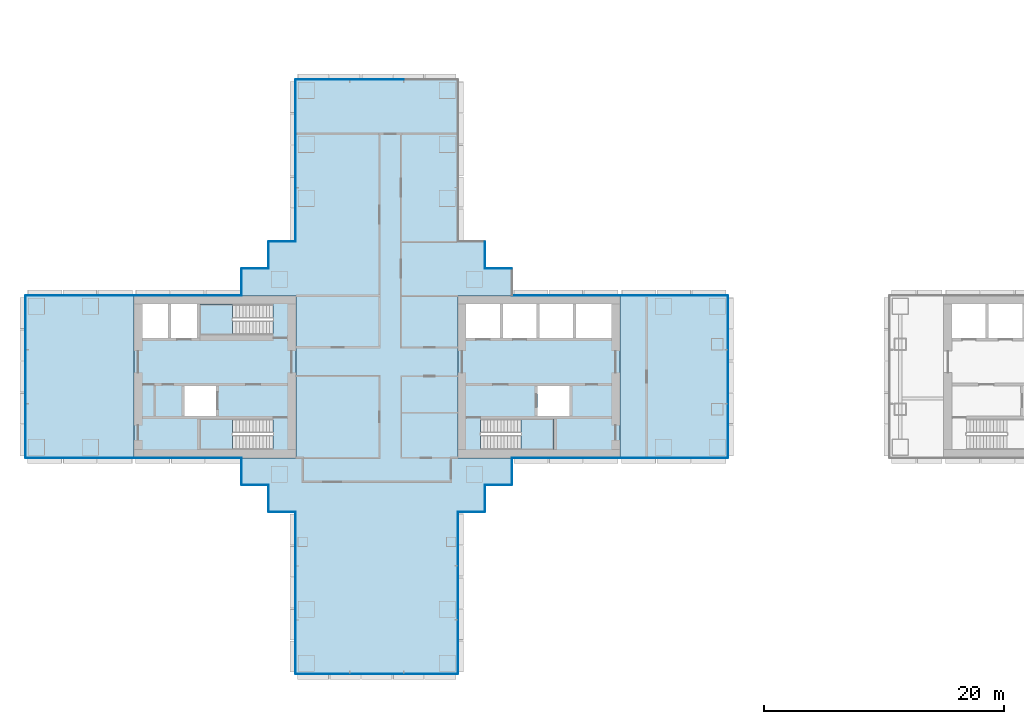
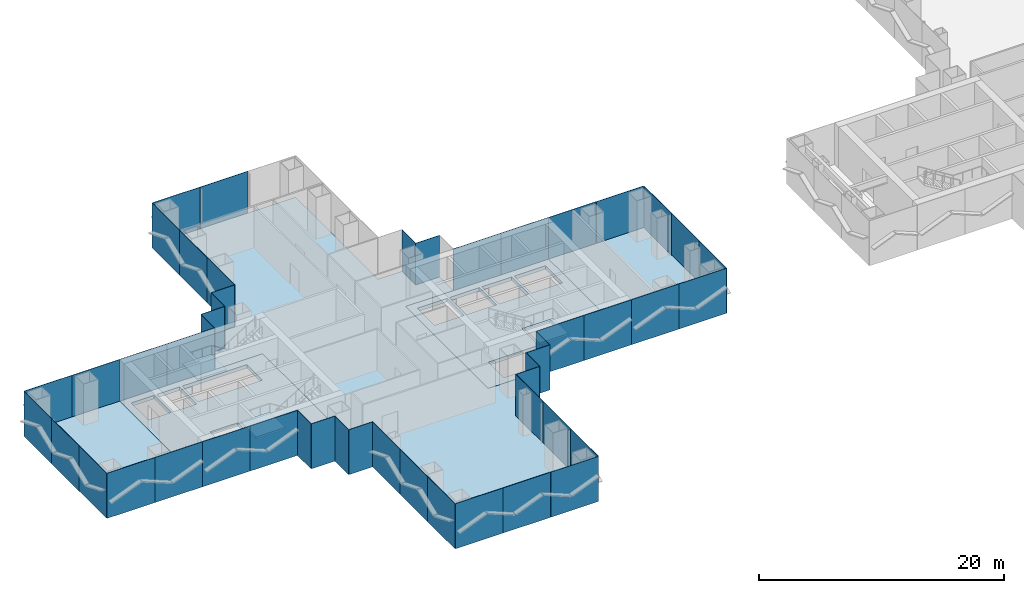
# One storey, part 11 of 22: 50 plates, 8 slabs, 22 elements without a shape of their own.
"""IFC4 building model written with IfcOpenShell, lengths in metres."""

from ifc_helpers import new_model, si_unit, direction, frame, origin, origin_2d, place, context, subcontext, project, spatial, polyline, rectangle, outline, extrude, material, layer, layer_set, type_object, element, aggregate, save


model = new_model("IFC4")

# Units and contexts
model_context = context("Model", 3, precision=1e-05, world=origin(), true_north=direction((0.0, 1.0)))
body_context = subcontext(model_context, "Body", "Model", "MODEL_VIEW")
ifc_project = project(units=[si_unit("LENGTHUNIT", "METRE"), si_unit("AREAUNIT", "SQUARE_METRE"), si_unit("VOLUMEUNIT", "CUBIC_METRE"), si_unit("PLANEANGLEUNIT", "RADIAN"), si_unit("MASSUNIT", "GRAM", prefix="KILO")], contexts=[model_context])

# Site, building, storey
site_placement = place(None, origin())
site = spatial("IfcSite", under=ifc_project, at=site_placement, CompositionType="ELEMENT")
building_placement = place(site_placement, origin())
building = spatial("IfcBuilding", under=site, at=building_placement, Name="Shamsa Quay Exchange Towers", CompositionType="ELEMENT")
storey_placement = place(building_placement, frame((0.0, 0.0, 33.0)))
storey = spatial("IfcBuildingStorey", under=building, at=storey_placement, Name="L06", CompositionType="ELEMENT", Elevation=33.0)

# Slabs
ifc_material_1 = material(Name="Concrete C50/60", Category="concrete")
ifc_layer_1 = layer(ifc_material_1, 0.35009765625)
ifc_layer_set_1 = layer_set([ifc_layer_1], Name="CORE FLOOR 350 C50/60")
slab_type_1 = type_object("IfcSlabType", Name="CORE FLOOR 350 C50/60", PredefinedType="FLOOR", material=ifc_layer_set_1)
slab_1_placement = place(storey_placement, frame((0.0, 0.0, -0.35009765625)))
element("IfcSlab", 1, at=slab_1_placement, inside=storey, type_object=slab_type_1, Name="Core floor T1A", PredefinedType="FLOOR", context=body_context, shape_type="SweptSolid", body=[
    extrude(outline(polyline([(-27.0, -6.75), (-13.5, -6.75), (-13.5, 6.75), (-27.0, 6.75), (-27.0, -6.75)]), holes=[polyline([(-25.099365234375, -6.050048828125), (-25.099365234375, -3.5), (-19.0, -3.5), (-19.0, -6.050048828125), (-25.099365234375, -6.050048828125)]), polyline([(-26.300048828125, 3.25), (-26.300048828125, 6.050048828125), (-23.5, 6.050048828125), (-23.5, 3.25), (-26.300048828125, 3.25)]), polyline([(-23.25, 3.25), (-23.25, 6.050048828125), (-20.449951171875, 6.050048828125), (-20.449951171875, 3.25), (-23.25, 3.25)]), polyline([(-20.199951171875, 3.25), (-20.199951171875, 6.050048828125), (-17.39990234375, 6.050048828125), (-17.39990234375, 3.25), (-20.199951171875, 3.25)]), polyline([(-17.14990234375, 3.25), (-17.14990234375, 6.050048828125), (-14.199951171875, 6.050048828125), (-14.199951171875, 3.25), (-17.14990234375, 3.25)]), polyline([(-20.35009765625, -3.25), (-20.35009765625, -0.75), (-17.699951171875, -0.75), (-17.699951171875, -3.25), (-20.35009765625, -3.25)])]), origin(), (0.0, 0.0, 1.0), 0.35009765625),
])
slab_2_placement = place(storey_placement, frame((0.0, 0.0, -0.35009765625)))
element("IfcSlab", 2, at=slab_2_placement, inside=storey, type_object=slab_type_1, Name="Core floor T1B", PredefinedType="FLOOR", context=body_context, shape_type="SweptSolid", body=[
    extrude(outline(polyline([(-40.5, -6.75), (-40.5, 6.75), (-54.0, 6.75), (-54.0, -6.75), (-40.5, -6.75)]), holes=[polyline([(-42.400634765625, -3.5), (-42.400634765625, -6.050048828125), (-48.5, -6.050048828125), (-48.5, -3.5), (-42.400634765625, -3.5)]), polyline([(-42.400634765625, 6.050048828125), (-42.400634765625, 3.5), (-48.5, 3.5), (-48.5, 6.050048828125), (-42.400634765625, 6.050048828125)]), polyline([(-48.75, 3.25), (-50.89990234375, 3.25), (-50.89990234375, 6.050048828125), (-48.75, 6.050048828125), (-48.75, 3.25)]), polyline([(-51.14990234375, 3.25), (-53.300048828125, 3.25), (-53.300048828125, 6.050048828125), (-51.14990234375, 6.050048828125), (-51.14990234375, 3.25)]), polyline([(-47.14990234375, -3.25), (-49.800048828125, -3.25), (-49.800048828125, -0.75), (-47.14990234375, -0.75), (-47.14990234375, -3.25)])]), origin(), (0.0, 0.0, 1.0), 0.35009765625),
])

# Stair, slab
ifc_material_2 = material(Name="Concrete C40/50", Category="concrete")
stair_type = type_object("IfcStairType", Name="EXIT STAIR 26 RISERS 173 MM", PredefinedType="HALF_TURN_STAIR", material=ifc_material_2)
stair_1_placement = place(storey_placement, origin())
stair_1 = element("IfcStair", 3, at=stair_1_placement, inside=storey, type_object=stair_type, Name="L06 Exit stair ST1", PredefinedType="HALF_TURN_STAIR")
ifc_layer_2 = layer(ifc_material_2, 0.199951171875)
ifc_layer_set_2 = layer_set([ifc_layer_2], Name="CORE STAIR LANDING")
slab_type_2 = type_object("IfcSlabType", Name="CORE STAIR LANDING", PredefinedType="LANDING", material=ifc_layer_set_2)
slab_3_placement = place(storey_placement, frame((0.0, 0.0, 2.050048828125)))
slab_3 = element("IfcSlab", 4, at=slab_3_placement, type_object=slab_type_2, Name="ST1 landing 1", PredefinedType="LANDING", context=body_context, shape_type="SweptSolid", body=[
    extrude(outline(polyline([(-21.739990234375, -6.050048828125), (-19.0, -6.050048828125), (-19.0, -3.5), (-21.739990234375, -3.5), (-21.739990234375, -6.050048828125)])), origin(), (0.0, 0.0, 1.0), 0.199951171875),
])
aggregate(stair_1, [slab_3])

stair_2_placement = place(storey_placement, origin())
stair_2 = element("IfcStair", 5, at=stair_2_placement, inside=storey, type_object=stair_type, Name="L06 Exit stair ST2", PredefinedType="HALF_TURN_STAIR")
slab_4_placement = place(storey_placement, frame((0.0, 0.0, 2.050048828125)))
slab_4 = element("IfcSlab", 6, at=slab_4_placement, type_object=slab_type_2, Name="ST2 landing 1", PredefinedType="LANDING", context=body_context, shape_type="SweptSolid", body=[
    extrude(outline(polyline([(-45.760009765625, -3.5), (-48.5, -3.5), (-48.5, -6.050048828125), (-45.760009765625, -6.050048828125), (-45.760009765625, -3.5)])), origin(), (0.0, 0.0, 1.0), 0.199951171875),
])
aggregate(stair_2, [slab_4])

stair_3_placement = place(storey_placement, origin())
stair_3 = element("IfcStair", 7, at=stair_3_placement, inside=storey, type_object=stair_type, Name="L06 Exit stair ST3", PredefinedType="HALF_TURN_STAIR")
slab_5_placement = place(storey_placement, frame((0.0, 0.0, 2.050048828125)))
slab_5 = element("IfcSlab", 8, at=slab_5_placement, type_object=slab_type_2, Name="ST3 landing 1", PredefinedType="LANDING", context=body_context, shape_type="SweptSolid", body=[
    extrude(outline(polyline([(-45.760009765625, 6.050048828125), (-48.5, 6.050048828125), (-48.5, 3.5), (-45.760009765625, 3.5), (-45.760009765625, 6.050048828125)])), origin(), (0.0, 0.0, 1.0), 0.199951171875),
])
aggregate(stair_3, [slab_5])

# Curtain wall, plates
ifc_material_3 = material(Name="Aluminium EN AW-6063 T6, black anodised", Category="aluminium")
ifc_layer_3 = layer(ifc_material_3, 0.280029296875)
ifc_layer_set_3 = layer_set([ifc_layer_3], Name="CW-1 UNITISED VISION GLASS")
curtain_wall_type_1 = type_object("IfcCurtainWallType", Name="CW-1 UNITISED VISION GLASS", PredefinedType="NOTDEFINED", material=ifc_layer_set_3)
curtain_wall_1_placement = place(storey_placement, origin())
curtain_wall_1 = element("IfcCurtainWall", 9, at=curtain_wall_1_placement, inside=storey, type_object=curtain_wall_type_1, Name="CW1 T1-FLK-V-W L06", PredefinedType="NOTDEFINED")
ifc_material_4 = material(Name="Glass, laminated, dark tinted", Category="glass")
ifc_layer_4 = layer(ifc_material_4, 0.0400390625)
ifc_layer_set_4 = layer_set([ifc_layer_4], Name="CW-1 VISION GLASS 40")
plate_type_1 = type_object("IfcPlateType", Name="CW-1 VISION GLASS 40", PredefinedType="CURTAIN_PANEL", material=ifc_layer_set_4)
plate_1_placement = place(storey_placement, frame((-40.52001953125, -13.529052734375, -0.35009765625), z_axis=(0.0, 0.0, 1.0), x_axis=(0.0, -1.0, 0.0)))
plate_1 = element("IfcPlate", 10, at=plate_1_placement, type_object=plate_type_1, Name="CW1 glass panel", PredefinedType="CURTAIN_PANEL", context=body_context, shape_type="SweptSolid", body=[
    extrude(rectangle(XDim=4.482421875, YDim=0.0400390625, at=origin_2d()), origin(), (0.0, 0.0, 1.0), 4.5),
])
plate_2_placement = place(storey_placement, frame((-40.52001953125, -18.01904296875, -0.35009765625), z_axis=(0.0, 0.0, 1.0), x_axis=(0.0, -1.0, 0.0)))
plate_2 = element("IfcPlate", 11, at=plate_2_placement, type_object=plate_type_1, Name="CW1 glass panel", PredefinedType="CURTAIN_PANEL", context=body_context, shape_type="SweptSolid", body=[
    extrude(rectangle(XDim=4.477294921875, YDim=0.0400390625, at=origin_2d()), origin(), (0.0, 0.0, 1.0), 4.5),
])
plate_3_placement = place(storey_placement, frame((-40.52001953125, -22.5087890625, -0.35009765625), z_axis=(0.0, 0.0, 1.0), x_axis=(0.0, -1.0, 0.0)))
plate_3 = element("IfcPlate", 12, at=plate_3_placement, type_object=plate_type_1, Name="CW1 glass panel", PredefinedType="CURTAIN_PANEL", context=body_context, shape_type="SweptSolid", body=[
    extrude(rectangle(XDim=4.482421875, YDim=0.0400390625, at=origin_2d()), origin(), (0.0, 0.0, 1.0), 4.5),
])
aggregate(curtain_wall_1, [plate_1, plate_2, plate_3])

curtain_wall_2_placement = place(storey_placement, origin())
curtain_wall_2 = element("IfcCurtainWall", 13, at=curtain_wall_2_placement, inside=storey, type_object=curtain_wall_type_1, Name="CW1 T1-END-V- L06", PredefinedType="NOTDEFINED")
plate_4_placement = place(storey_placement, frame((-38.25244140625, -24.77001953125, -0.35009765625)))
plate_4 = element("IfcPlate", 14, at=plate_4_placement, type_object=plate_type_1, Name="CW1 glass panel", PredefinedType="CURTAIN_PANEL", context=body_context, shape_type="SweptSolid", body=[
    extrude(rectangle(XDim=4.4951171875, YDim=0.0400390625, at=origin_2d()), origin(), (0.0, 0.0, 1.0), 4.5),
])
plate_5_placement = place(storey_placement, frame((-33.75, -24.77001953125, -0.35009765625)))
plate_5 = element("IfcPlate", 15, at=plate_5_placement, type_object=plate_type_1, Name="CW1 glass panel", PredefinedType="CURTAIN_PANEL", context=body_context, shape_type="SweptSolid", body=[
    extrude(rectangle(XDim=4.489990234375, YDim=0.0400390625, at=origin_2d()), origin(), (0.0, 0.0, 1.0), 4.5),
])
plate_6_placement = place(storey_placement, frame((-29.24755859375, -24.77001953125, -0.35009765625)))
plate_6 = element("IfcPlate", 16, at=plate_6_placement, type_object=plate_type_1, Name="CW1 glass panel", PredefinedType="CURTAIN_PANEL", context=body_context, shape_type="SweptSolid", body=[
    extrude(rectangle(XDim=4.4951171875, YDim=0.0400390625, at=origin_2d()), origin(), (0.0, 0.0, 1.0), 4.5),
])
aggregate(curtain_wall_2, [plate_4, plate_5, plate_6])

curtain_wall_3_placement = place(storey_placement, origin())
curtain_wall_3 = element("IfcCurtainWall", 17, at=curtain_wall_3_placement, inside=storey, type_object=curtain_wall_type_1, Name="CW1 T1-FLK-V-E L06", PredefinedType="NOTDEFINED")
plate_7_placement = place(storey_placement, frame((-26.97998046875, -22.50244140625, -0.35009765625), z_axis=(0.0, 0.0, 1.0), x_axis=(0.0, 1.0, 0.0)))
plate_7 = element("IfcPlate", 18, at=plate_7_placement, type_object=plate_type_1, Name="CW1 glass panel", PredefinedType="CURTAIN_PANEL", context=body_context, shape_type="SweptSolid", body=[
    extrude(rectangle(XDim=4.4951171875, YDim=0.0400390625, at=origin_2d()), origin(), (0.0, 0.0, 1.0), 4.5),
])
plate_8_placement = place(storey_placement, frame((-26.97998046875, -18.0, -0.35009765625), z_axis=(0.0, 0.0, 1.0), x_axis=(0.0, 1.0, 0.0)))
plate_8 = element("IfcPlate", 19, at=plate_8_placement, type_object=plate_type_1, Name="CW1 glass panel", PredefinedType="CURTAIN_PANEL", context=body_context, shape_type="SweptSolid", body=[
    extrude(rectangle(XDim=4.489990234375, YDim=0.0400390625, at=origin_2d()), origin(), (0.0, 0.0, 1.0), 4.5),
])
plate_9_placement = place(storey_placement, frame((-26.97998046875, -13.49755859375, -0.35009765625), z_axis=(0.0, 0.0, 1.0), x_axis=(0.0, 1.0, 0.0)))
plate_9 = element("IfcPlate", 20, at=plate_9_placement, type_object=plate_type_1, Name="CW1 glass panel", PredefinedType="CURTAIN_PANEL", context=body_context, shape_type="SweptSolid", body=[
    extrude(rectangle(XDim=4.4951171875, YDim=0.0400390625, at=origin_2d()), origin(), (0.0, 0.0, 1.0), 4.5),
])
aggregate(curtain_wall_3, [plate_7, plate_8, plate_9])

curtain_wall_4_placement = place(storey_placement, origin())
curtain_wall_4 = element("IfcCurtainWall", 21, at=curtain_wall_4_placement, inside=storey, type_object=curtain_wall_type_1, Name="CW1 T1-FLK-U+S L06", PredefinedType="NOTDEFINED")
plate_10_placement = place(storey_placement, frame((-11.25244140625, -6.77001953125, -0.35009765625)))
plate_10 = element("IfcPlate", 22, at=plate_10_placement, type_object=plate_type_1, Name="CW1 glass panel", PredefinedType="CURTAIN_PANEL", context=body_context, shape_type="SweptSolid", body=[
    extrude(rectangle(XDim=4.4951171875, YDim=0.0400390625, at=origin_2d()), origin(), (0.0, 0.0, 1.0), 4.5),
])
plate_11_placement = place(storey_placement, frame((-6.74755859375, -6.77001953125, -0.35009765625)))
plate_11 = element("IfcPlate", 23, at=plate_11_placement, type_object=plate_type_1, Name="CW1 glass panel", PredefinedType="CURTAIN_PANEL", context=body_context, shape_type="SweptSolid", body=[
    extrude(rectangle(XDim=4.4951171875, YDim=0.0400390625, at=origin_2d()), origin(), (0.0, 0.0, 1.0), 4.5),
])
aggregate(curtain_wall_4, [plate_10, plate_11])

curtain_wall_5_placement = place(storey_placement, origin())
curtain_wall_5 = element("IfcCurtainWall", 24, at=curtain_wall_5_placement, inside=storey, type_object=curtain_wall_type_1, Name="CW1 T1-END-U+ L06", PredefinedType="NOTDEFINED")
plate_12_placement = place(storey_placement, frame((-4.47998046875, -4.50244140625, -0.35009765625), z_axis=(0.0, 0.0, 1.0), x_axis=(0.0, 1.0, 0.0)))
plate_12 = element("IfcPlate", 25, at=plate_12_placement, type_object=plate_type_1, Name="CW1 glass panel", PredefinedType="CURTAIN_PANEL", context=body_context, shape_type="SweptSolid", body=[
    extrude(rectangle(XDim=4.4951171875, YDim=0.0400390625, at=origin_2d()), origin(), (0.0, 0.0, 1.0), 4.5),
])
plate_13_placement = place(storey_placement, frame((-4.47998046875, 0.0, -0.35009765625), z_axis=(0.0, 0.0, 1.0), x_axis=(0.0, 1.0, 0.0)))
plate_13 = element("IfcPlate", 26, at=plate_13_placement, type_object=plate_type_1, Name="CW1 glass panel", PredefinedType="CURTAIN_PANEL", context=body_context, shape_type="SweptSolid", body=[
    extrude(rectangle(XDim=4.489990234375, YDim=0.0400390625, at=origin_2d()), origin(), (0.0, 0.0, 1.0), 4.5),
])
plate_14_placement = place(storey_placement, frame((-4.47998046875, 4.50244140625, -0.35009765625), z_axis=(0.0, 0.0, 1.0), x_axis=(0.0, 1.0, 0.0)))
plate_14 = element("IfcPlate", 27, at=plate_14_placement, type_object=plate_type_1, Name="CW1 glass panel", PredefinedType="CURTAIN_PANEL", context=body_context, shape_type="SweptSolid", body=[
    extrude(rectangle(XDim=4.4951171875, YDim=0.0400390625, at=origin_2d()), origin(), (0.0, 0.0, 1.0), 4.5),
])
aggregate(curtain_wall_5, [plate_12, plate_13, plate_14])

curtain_wall_6_placement = place(storey_placement, origin())
curtain_wall_6 = element("IfcCurtainWall", 28, at=curtain_wall_6_placement, inside=storey, type_object=curtain_wall_type_1, Name="CW1 T1-FLK-U+N L06", PredefinedType="NOTDEFINED")
plate_15_placement = place(storey_placement, frame((-6.74755859375, 6.77001953125, -0.35009765625), z_axis=(0.0, 0.0, 1.0), x_axis=(-1.0, 0.0, 0.0)))
plate_15 = element("IfcPlate", 29, at=plate_15_placement, type_object=plate_type_1, Name="CW1 glass panel", PredefinedType="CURTAIN_PANEL", context=body_context, shape_type="SweptSolid", body=[
    extrude(rectangle(XDim=4.4951171875, YDim=0.0400390625, at=origin_2d()), origin(), (0.0, 0.0, 1.0), 4.5),
])
plate_16_placement = place(storey_placement, frame((-11.25244140625, 6.77001953125, -0.35009765625), z_axis=(0.0, 0.0, 1.0), x_axis=(-1.0, 0.0, 0.0)))
plate_16 = element("IfcPlate", 30, at=plate_16_placement, type_object=plate_type_1, Name="CW1 glass panel", PredefinedType="CURTAIN_PANEL", context=body_context, shape_type="SweptSolid", body=[
    extrude(rectangle(XDim=4.4951171875, YDim=0.0400390625, at=origin_2d()), origin(), (0.0, 0.0, 1.0), 4.5),
])
aggregate(curtain_wall_6, [plate_15, plate_16])

curtain_wall_7_placement = place(storey_placement, origin())
curtain_wall_7 = element("IfcCurtainWall", 31, at=curtain_wall_7_placement, inside=storey, type_object=curtain_wall_type_1, Name="CW1 T1-END-V+ L06", PredefinedType="NOTDEFINED")
plate_17_placement = place(storey_placement, frame((-33.75, 24.77001953125, -0.35009765625), z_axis=(0.0, 0.0, 1.0), x_axis=(-1.0, 0.0, 0.0)))
plate_17 = element("IfcPlate", 32, at=plate_17_placement, type_object=plate_type_1, Name="CW1 glass panel", PredefinedType="CURTAIN_PANEL", context=body_context, shape_type="SweptSolid", body=[
    extrude(rectangle(XDim=4.489990234375, YDim=0.0400390625, at=origin_2d()), origin(), (0.0, 0.0, 1.0), 4.5),
])
plate_18_placement = place(storey_placement, frame((-38.25244140625, 24.77001953125, -0.35009765625), z_axis=(0.0, 0.0, 1.0), x_axis=(-1.0, 0.0, 0.0)))
plate_18 = element("IfcPlate", 33, at=plate_18_placement, type_object=plate_type_1, Name="CW1 glass panel", PredefinedType="CURTAIN_PANEL", context=body_context, shape_type="SweptSolid", body=[
    extrude(rectangle(XDim=4.4951171875, YDim=0.0400390625, at=origin_2d()), origin(), (0.0, 0.0, 1.0), 4.5),
])
aggregate(curtain_wall_7, [plate_17, plate_18])

curtain_wall_8_placement = place(storey_placement, origin())
curtain_wall_8 = element("IfcCurtainWall", 34, at=curtain_wall_8_placement, inside=storey, type_object=curtain_wall_type_1, Name="CW1 T1-FLK-V+W L06", PredefinedType="NOTDEFINED")
plate_19_placement = place(storey_placement, frame((-40.52001953125, 22.50244140625, -0.35009765625), z_axis=(0.0, 0.0, 1.0), x_axis=(0.0, -1.0, 0.0)))
plate_19 = element("IfcPlate", 35, at=plate_19_placement, type_object=plate_type_1, Name="CW1 glass panel", PredefinedType="CURTAIN_PANEL", context=body_context, shape_type="SweptSolid", body=[
    extrude(rectangle(XDim=4.4951171875, YDim=0.0400390625, at=origin_2d()), origin(), (0.0, 0.0, 1.0), 4.5),
])
plate_20_placement = place(storey_placement, frame((-40.52001953125, 18.0, -0.35009765625), z_axis=(0.0, 0.0, 1.0), x_axis=(0.0, -1.0, 0.0)))
plate_20 = element("IfcPlate", 36, at=plate_20_placement, type_object=plate_type_1, Name="CW1 glass panel", PredefinedType="CURTAIN_PANEL", context=body_context, shape_type="SweptSolid", body=[
    extrude(rectangle(XDim=4.489990234375, YDim=0.0400390625, at=origin_2d()), origin(), (0.0, 0.0, 1.0), 4.5),
])
plate_21_placement = place(storey_placement, frame((-40.52001953125, 13.49755859375, -0.35009765625), z_axis=(0.0, 0.0, 1.0), x_axis=(0.0, -1.0, 0.0)))
plate_21 = element("IfcPlate", 37, at=plate_21_placement, type_object=plate_type_1, Name="CW1 glass panel", PredefinedType="CURTAIN_PANEL", context=body_context, shape_type="SweptSolid", body=[
    extrude(rectangle(XDim=4.4951171875, YDim=0.0400390625, at=origin_2d()), origin(), (0.0, 0.0, 1.0), 4.5),
])
aggregate(curtain_wall_8, [plate_19, plate_20, plate_21])

curtain_wall_9_placement = place(storey_placement, origin())
curtain_wall_9 = element("IfcCurtainWall", 38, at=curtain_wall_9_placement, inside=storey, type_object=curtain_wall_type_1, Name="CW1 T1-FLK-U-N L06", PredefinedType="NOTDEFINED")
plate_22_placement = place(storey_placement, frame((-56.24755859375, 6.77001953125, -0.35009765625), z_axis=(0.0, 0.0, 1.0), x_axis=(-1.0, 0.0, 0.0)))
plate_22 = element("IfcPlate", 39, at=plate_22_placement, type_object=plate_type_1, Name="CW1 glass panel", PredefinedType="CURTAIN_PANEL", context=body_context, shape_type="SweptSolid", body=[
    extrude(rectangle(XDim=4.4951171875, YDim=0.0400390625, at=origin_2d()), origin(), (0.0, 0.0, 1.0), 4.5),
])
plate_23_placement = place(storey_placement, frame((-60.75244140625, 6.77001953125, -0.35009765625), z_axis=(0.0, 0.0, 1.0), x_axis=(-1.0, 0.0, 0.0)))
plate_23 = element("IfcPlate", 40, at=plate_23_placement, type_object=plate_type_1, Name="CW1 glass panel", PredefinedType="CURTAIN_PANEL", context=body_context, shape_type="SweptSolid", body=[
    extrude(rectangle(XDim=4.4951171875, YDim=0.0400390625, at=origin_2d()), origin(), (0.0, 0.0, 1.0), 4.5),
])
aggregate(curtain_wall_9, [plate_22, plate_23])

curtain_wall_10_placement = place(storey_placement, origin())
curtain_wall_10 = element("IfcCurtainWall", 41, at=curtain_wall_10_placement, inside=storey, type_object=curtain_wall_type_1, Name="CW1 T1-END-U- L06", PredefinedType="NOTDEFINED")
plate_24_placement = place(storey_placement, frame((-63.02001953125, 4.50244140625, -0.35009765625), z_axis=(0.0, 0.0, 1.0), x_axis=(0.0, -1.0, 0.0)))
plate_24 = element("IfcPlate", 42, at=plate_24_placement, type_object=plate_type_1, Name="CW1 glass panel", PredefinedType="CURTAIN_PANEL", context=body_context, shape_type="SweptSolid", body=[
    extrude(rectangle(XDim=4.4951171875, YDim=0.0400390625, at=origin_2d()), origin(), (0.0, 0.0, 1.0), 4.5),
])
plate_25_placement = place(storey_placement, frame((-63.02001953125, 0.0, -0.35009765625), z_axis=(0.0, 0.0, 1.0), x_axis=(0.0, -1.0, 0.0)))
plate_25 = element("IfcPlate", 43, at=plate_25_placement, type_object=plate_type_1, Name="CW1 glass panel", PredefinedType="CURTAIN_PANEL", context=body_context, shape_type="SweptSolid", body=[
    extrude(rectangle(XDim=4.489990234375, YDim=0.0400390625, at=origin_2d()), origin(), (0.0, 0.0, 1.0), 4.5),
])
plate_26_placement = place(storey_placement, frame((-63.02001953125, -4.50244140625, -0.35009765625), z_axis=(0.0, 0.0, 1.0), x_axis=(0.0, -1.0, 0.0)))
plate_26 = element("IfcPlate", 44, at=plate_26_placement, type_object=plate_type_1, Name="CW1 glass panel", PredefinedType="CURTAIN_PANEL", context=body_context, shape_type="SweptSolid", body=[
    extrude(rectangle(XDim=4.4951171875, YDim=0.0400390625, at=origin_2d()), origin(), (0.0, 0.0, 1.0), 4.5),
])
aggregate(curtain_wall_10, [plate_24, plate_25, plate_26])

curtain_wall_11_placement = place(storey_placement, origin())
curtain_wall_11 = element("IfcCurtainWall", 45, at=curtain_wall_11_placement, inside=storey, type_object=curtain_wall_type_1, Name="CW1 T1-FLK-U-S L06", PredefinedType="NOTDEFINED")
plate_27_placement = place(storey_placement, frame((-60.75244140625, -6.77001953125, -0.35009765625)))
plate_27 = element("IfcPlate", 46, at=plate_27_placement, type_object=plate_type_1, Name="CW1 glass panel", PredefinedType="CURTAIN_PANEL", context=body_context, shape_type="SweptSolid", body=[
    extrude(rectangle(XDim=4.4951171875, YDim=0.0400390625, at=origin_2d()), origin(), (0.0, 0.0, 1.0), 4.5),
])
plate_28_placement = place(storey_placement, frame((-56.24755859375, -6.77001953125, -0.35009765625)))
plate_28 = element("IfcPlate", 47, at=plate_28_placement, type_object=plate_type_1, Name="CW1 glass panel", PredefinedType="CURTAIN_PANEL", context=body_context, shape_type="SweptSolid", body=[
    extrude(rectangle(XDim=4.4951171875, YDim=0.0400390625, at=origin_2d()), origin(), (0.0, 0.0, 1.0), 4.5),
])
aggregate(curtain_wall_11, [plate_27, plate_28])

ifc_layer_5 = layer(ifc_material_3, 0.303955078125)
ifc_layer_set_5 = layer_set([ifc_layer_5], Name="CW-2 UNITISED OPAQUE SPANDREL GLASS")
curtain_wall_type_2 = type_object("IfcCurtainWallType", Name="CW-2 UNITISED OPAQUE SPANDREL GLASS", PredefinedType="NOTDEFINED", material=ifc_layer_set_5)
curtain_wall_12_placement = place(storey_placement, origin())
curtain_wall_12 = element("IfcCurtainWall", 48, at=curtain_wall_12_placement, inside=storey, type_object=curtain_wall_type_2, Name="CW2 T1-FLK-U+S L06", PredefinedType="NOTDEFINED")
ifc_material_5 = material(Name="Glass, laminated, black enamelled opaque", Category="glass")
ifc_layer_6 = layer(ifc_material_5, 0.0439453125)
ifc_layer_set_6 = layer_set([ifc_layer_6], Name="CW-2 SPANDREL GLASS 44")
plate_type_2 = type_object("IfcPlateType", Name="CW-2 SPANDREL GLASS 44", PredefinedType="CURTAIN_PANEL", material=ifc_layer_set_6)
plate_29_placement = place(storey_placement, frame((-20.22412109375, -6.77197265625, -0.35009765625)))
plate_29 = element("IfcPlate", 49, at=plate_29_placement, type_object=plate_type_2, Name="CW2 glass panel", PredefinedType="CURTAIN_PANEL", context=body_context, shape_type="SweptSolid", body=[
    extrude(rectangle(XDim=4.47607421875, YDim=0.0439453125, at=origin_2d()), origin(), (0.0, 0.0, 1.0), 4.5),
])
plate_30_placement = place(storey_placement, frame((-15.738037109375, -6.77197265625, -0.35009765625)))
plate_30 = element("IfcPlate", 50, at=plate_30_placement, type_object=plate_type_2, Name="CW2 glass panel", PredefinedType="CURTAIN_PANEL", context=body_context, shape_type="SweptSolid", body=[
    extrude(rectangle(XDim=4.47607421875, YDim=0.0439453125, at=origin_2d()), origin(), (0.0, 0.0, 1.0), 4.5),
])
aggregate(curtain_wall_12, [plate_29, plate_30])

curtain_wall_13_placement = place(storey_placement, origin())
curtain_wall_13 = element("IfcCurtainWall", 51, at=curtain_wall_13_placement, inside=storey, type_object=curtain_wall_type_2, Name="CW2 T1-FLK-U+N L06", PredefinedType="NOTDEFINED")
plate_31_placement = place(storey_placement, frame((-15.74755859375, 6.77197265625, -0.35009765625), z_axis=(0.0, 0.0, 1.0), x_axis=(-1.0, 0.0, 0.0)))
plate_31 = element("IfcPlate", 52, at=plate_31_placement, type_object=plate_type_2, Name="CW2 glass panel", PredefinedType="CURTAIN_PANEL", context=body_context, shape_type="SweptSolid", body=[
    extrude(rectangle(XDim=4.4951171875, YDim=0.0439453125, at=origin_2d()), origin(), (0.0, 0.0, 1.0), 4.5),
])
plate_32_placement = place(storey_placement, frame((-20.25244140625, 6.77197265625, -0.35009765625), z_axis=(0.0, 0.0, 1.0), x_axis=(-1.0, 0.0, 0.0)))
plate_32 = element("IfcPlate", 53, at=plate_32_placement, type_object=plate_type_2, Name="CW2 glass panel", PredefinedType="CURTAIN_PANEL", context=body_context, shape_type="SweptSolid", body=[
    extrude(rectangle(XDim=4.4951171875, YDim=0.0439453125, at=origin_2d()), origin(), (0.0, 0.0, 1.0), 4.5),
])
aggregate(curtain_wall_13, [plate_31, plate_32])

curtain_wall_14_placement = place(storey_placement, origin())
curtain_wall_14 = element("IfcCurtainWall", 54, at=curtain_wall_14_placement, inside=storey, type_object=curtain_wall_type_2, Name="CW2 T1-FLK-U-N L06", PredefinedType="NOTDEFINED")
plate_33_placement = place(storey_placement, frame((-47.27587890625, 6.77197265625, -0.35009765625), z_axis=(0.0, 0.0, 1.0), x_axis=(-1.0, 0.0, 0.0)))
plate_33 = element("IfcPlate", 55, at=plate_33_placement, type_object=plate_type_2, Name="CW2 glass panel", PredefinedType="CURTAIN_PANEL", context=body_context, shape_type="SweptSolid", body=[
    extrude(rectangle(XDim=4.47607421875, YDim=0.0439453125, at=origin_2d()), origin(), (0.0, 0.0, 1.0), 4.5),
])
plate_34_placement = place(storey_placement, frame((-51.761962890625, 6.77197265625, -0.35009765625), z_axis=(0.0, 0.0, 1.0), x_axis=(-1.0, 0.0, 0.0)))
plate_34 = element("IfcPlate", 56, at=plate_34_placement, type_object=plate_type_2, Name="CW2 glass panel", PredefinedType="CURTAIN_PANEL", context=body_context, shape_type="SweptSolid", body=[
    extrude(rectangle(XDim=4.47607421875, YDim=0.0439453125, at=origin_2d()), origin(), (0.0, 0.0, 1.0), 4.5),
])
aggregate(curtain_wall_14, [plate_33, plate_34])

curtain_wall_15_placement = place(storey_placement, origin())
curtain_wall_15 = element("IfcCurtainWall", 57, at=curtain_wall_15_placement, inside=storey, type_object=curtain_wall_type_2, Name="CW2 T1-FLK-U-S L06", PredefinedType="NOTDEFINED")
plate_35_placement = place(storey_placement, frame((-51.75244140625, -6.77197265625, -0.35009765625)))
plate_35 = element("IfcPlate", 58, at=plate_35_placement, type_object=plate_type_2, Name="CW2 glass panel", PredefinedType="CURTAIN_PANEL", context=body_context, shape_type="SweptSolid", body=[
    extrude(rectangle(XDim=4.4951171875, YDim=0.0439453125, at=origin_2d()), origin(), (0.0, 0.0, 1.0), 4.5),
])
plate_36_placement = place(storey_placement, frame((-47.24755859375, -6.77197265625, -0.35009765625)))
plate_36 = element("IfcPlate", 59, at=plate_36_placement, type_object=plate_type_2, Name="CW2 glass panel", PredefinedType="CURTAIN_PANEL", context=body_context, shape_type="SweptSolid", body=[
    extrude(rectangle(XDim=4.4951171875, YDim=0.0439453125, at=origin_2d()), origin(), (0.0, 0.0, 1.0), 4.5),
])
aggregate(curtain_wall_15, [plate_35, plate_36])

ifc_layer_7 = layer(ifc_material_3, 0.256103515625)
ifc_layer_set_7 = layer_set([ifc_layer_7], Name="CW-4 POCKET SERRATED GLAZING")
curtain_wall_type_3 = type_object("IfcCurtainWallType", Name="CW-4 POCKET SERRATED GLAZING", PredefinedType="NOTDEFINED", material=ifc_layer_set_7)
curtain_wall_16_placement = place(storey_placement, origin())
curtain_wall_16 = element("IfcCurtainWall", 60, at=curtain_wall_16_placement, inside=storey, type_object=curtain_wall_type_3, Name="CW4 PKWS L06", PredefinedType="NOTDEFINED")
ifc_layer_8 = layer(ifc_material_4, 0.035888671875)
ifc_layer_set_8 = layer_set([ifc_layer_8], Name="CW-4 POCKET GLASS 36")
plate_type_3 = type_object("IfcPlateType", Name="CW-4 POCKET GLASS 36", PredefinedType="CURTAIN_PANEL", material=ifc_layer_set_8)
plate_37_placement = place(storey_placement, frame((-42.76806640625, -10.14404296875, -0.35009765625), z_axis=(0.0, 0.0, 1.0), x_axis=(0.0, -1.0, 0.0)))
plate_37 = element("IfcPlate", 61, at=plate_37_placement, type_object=plate_type_3, Name="CW4 glass panel", PredefinedType="CURTAIN_PANEL", context=body_context, shape_type="SweptSolid", body=[
    extrude(rectangle(XDim=2.2119140625, YDim=0.035888671875, at=origin_2d()), origin(), (0.0, 0.0, 1.0), 4.5),
])
plate_38_placement = place(storey_placement, frame((-41.625, -11.26806640625, -0.35009765625)))
plate_38 = element("IfcPlate", 62, at=plate_38_placement, type_object=plate_type_3, Name="CW4 glass panel", PredefinedType="CURTAIN_PANEL", context=body_context, shape_type="SweptSolid", body=[
    extrude(rectangle(XDim=2.25, YDim=0.035888671875, at=origin_2d()), origin(), (0.0, 0.0, 1.0), 4.5),
])
plate_39_placement = place(storey_placement, frame((-45.01806640625, -7.89794921875, -0.35009765625), z_axis=(0.0, 0.0, 1.0), x_axis=(0.0, -1.0, 0.0)))
plate_39 = element("IfcPlate", 63, at=plate_39_placement, type_object=plate_type_3, Name="CW4 glass panel", PredefinedType="CURTAIN_PANEL", context=body_context, shape_type="SweptSolid", body=[
    extrude(rectangle(XDim=2.2041015625, YDim=0.035888671875, at=origin_2d()), origin(), (0.0, 0.0, 1.0), 4.5),
])
plate_40_placement = place(storey_placement, frame((-43.875, -9.01806640625, -0.35009765625)))
plate_40 = element("IfcPlate", 64, at=plate_40_placement, type_object=plate_type_3, Name="CW4 glass panel", PredefinedType="CURTAIN_PANEL", context=body_context, shape_type="SweptSolid", body=[
    extrude(rectangle(XDim=2.25, YDim=0.035888671875, at=origin_2d()), origin(), (0.0, 0.0, 1.0), 4.5),
])
aggregate(curtain_wall_16, [plate_37, plate_38, plate_39, plate_40])

curtain_wall_17_placement = place(storey_placement, origin())
curtain_wall_17 = element("IfcCurtainWall", 65, at=curtain_wall_17_placement, inside=storey, type_object=curtain_wall_type_3, Name="CW4 PKES L06", PredefinedType="NOTDEFINED")
plate_41_placement = place(storey_placement, frame((-25.85400390625, -11.26806640625, -0.35009765625)))
plate_41 = element("IfcPlate", 66, at=plate_41_placement, type_object=plate_type_3, Name="CW4 glass panel", PredefinedType="CURTAIN_PANEL", context=body_context, shape_type="SweptSolid", body=[
    extrude(rectangle(XDim=2.2080078125, YDim=0.035888671875, at=origin_2d()), origin(), (0.0, 0.0, 1.0), 4.5),
])
plate_42_placement = place(storey_placement, frame((-24.73193359375, -10.125, -0.35009765625), z_axis=(0.0, 0.0, 1.0), x_axis=(0.0, 1.0, 0.0)))
plate_42 = element("IfcPlate", 67, at=plate_42_placement, type_object=plate_type_3, Name="CW4 glass panel", PredefinedType="CURTAIN_PANEL", context=body_context, shape_type="SweptSolid", body=[
    extrude(rectangle(XDim=2.25, YDim=0.035888671875, at=origin_2d()), origin(), (0.0, 0.0, 1.0), 4.5),
])
plate_43_placement = place(storey_placement, frame((-23.60595703125, -9.01806640625, -0.35009765625)))
plate_43 = element("IfcPlate", 68, at=plate_43_placement, type_object=plate_type_3, Name="CW4 glass panel", PredefinedType="CURTAIN_PANEL", context=body_context, shape_type="SweptSolid", body=[
    extrude(rectangle(XDim=2.2119140625, YDim=0.035888671875, at=origin_2d()), origin(), (0.0, 0.0, 1.0), 4.5),
])
plate_44_placement = place(storey_placement, frame((-22.48193359375, -7.875, -0.35009765625), z_axis=(0.0, 0.0, 1.0), x_axis=(0.0, 1.0, 0.0)))
plate_44 = element("IfcPlate", 69, at=plate_44_placement, type_object=plate_type_3, Name="CW4 glass panel", PredefinedType="CURTAIN_PANEL", context=body_context, shape_type="SweptSolid", body=[
    extrude(rectangle(XDim=2.25, YDim=0.035888671875, at=origin_2d()), origin(), (0.0, 0.0, 1.0), 4.5),
])
aggregate(curtain_wall_17, [plate_41, plate_42, plate_43, plate_44])

curtain_wall_18_placement = place(storey_placement, origin())
curtain_wall_18 = element("IfcCurtainWall", 70, at=curtain_wall_18_placement, inside=storey, type_object=curtain_wall_type_3, Name="CW4 PKEN L06", PredefinedType="NOTDEFINED")
plate_45_placement = place(storey_placement, frame((-23.625, 9.01806640625, -0.35009765625), z_axis=(0.0, 0.0, 1.0), x_axis=(-1.0, 0.0, 0.0)))
plate_45 = element("IfcPlate", 71, at=plate_45_placement, type_object=plate_type_3, Name="CW4 glass panel", PredefinedType="CURTAIN_PANEL", context=body_context, shape_type="SweptSolid", body=[
    extrude(rectangle(XDim=2.25, YDim=0.035888671875, at=origin_2d()), origin(), (0.0, 0.0, 1.0), 4.5),
])
plate_46_placement = place(storey_placement, frame((-24.73193359375, 10.14404296875, -0.35009765625), z_axis=(0.0, 0.0, 1.0), x_axis=(0.0, 1.0, 0.0)))
plate_46 = element("IfcPlate", 72, at=plate_46_placement, type_object=plate_type_3, Name="CW4 glass panel", PredefinedType="CURTAIN_PANEL", context=body_context, shape_type="SweptSolid", body=[
    extrude(rectangle(XDim=2.2119140625, YDim=0.035888671875, at=origin_2d()), origin(), (0.0, 0.0, 1.0), 4.5),
])
aggregate(curtain_wall_18, [plate_45, plate_46])

curtain_wall_19_placement = place(storey_placement, origin())
curtain_wall_19 = element("IfcCurtainWall", 73, at=curtain_wall_19_placement, inside=storey, type_object=curtain_wall_type_3, Name="CW4 PKWN L06", PredefinedType="NOTDEFINED")
plate_47_placement = place(storey_placement, frame((-41.64599609375, 11.26806640625, -0.35009765625), z_axis=(0.0, 0.0, 1.0), x_axis=(-1.0, 0.0, 0.0)))
plate_47 = element("IfcPlate", 74, at=plate_47_placement, type_object=plate_type_3, Name="CW4 glass panel", PredefinedType="CURTAIN_PANEL", context=body_context, shape_type="SweptSolid", body=[
    extrude(rectangle(XDim=2.2080078125, YDim=0.035888671875, at=origin_2d()), origin(), (0.0, 0.0, 1.0), 4.5),
])
plate_48_placement = place(storey_placement, frame((-42.76806640625, 10.125, -0.35009765625), z_axis=(0.0, 0.0, 1.0), x_axis=(0.0, -1.0, 0.0)))
plate_48 = element("IfcPlate", 75, at=plate_48_placement, type_object=plate_type_3, Name="CW4 glass panel", PredefinedType="CURTAIN_PANEL", context=body_context, shape_type="SweptSolid", body=[
    extrude(rectangle(XDim=2.25, YDim=0.035888671875, at=origin_2d()), origin(), (0.0, 0.0, 1.0), 4.5),
])
plate_49_placement = place(storey_placement, frame((-43.89404296875, 9.01806640625, -0.35009765625), z_axis=(0.0, 0.0, 1.0), x_axis=(-1.0, 0.0, 0.0)))
plate_49 = element("IfcPlate", 76, at=plate_49_placement, type_object=plate_type_3, Name="CW4 glass panel", PredefinedType="CURTAIN_PANEL", context=body_context, shape_type="SweptSolid", body=[
    extrude(rectangle(XDim=2.2119140625, YDim=0.035888671875, at=origin_2d()), origin(), (0.0, 0.0, 1.0), 4.5),
])
plate_50_placement = place(storey_placement, frame((-45.01806640625, 7.875, -0.35009765625), z_axis=(0.0, 0.0, 1.0), x_axis=(0.0, -1.0, 0.0)))
plate_50 = element("IfcPlate", 77, at=plate_50_placement, type_object=plate_type_3, Name="CW4 glass panel", PredefinedType="CURTAIN_PANEL", context=body_context, shape_type="SweptSolid", body=[
    extrude(rectangle(XDim=2.25, YDim=0.035888671875, at=origin_2d()), origin(), (0.0, 0.0, 1.0), 4.5),
])
aggregate(curtain_wall_19, [plate_47, plate_48, plate_49, plate_50])

# Slabs
ifc_layer_9 = layer(ifc_material_2, 0.35009765625)
ifc_layer_set_9 = layer_set([ifc_layer_9], Name="Flat slab 350")
slab_type_3 = type_object("IfcSlabType", Name="Flat slab 350", PredefinedType="FLOOR", material=ifc_layer_set_9)
slab_6_placement = place(storey_placement, frame((0.0, 0.0, -0.35009765625)))
element("IfcSlab", 78, at=slab_6_placement, inside=storey, type_object=slab_type_3, Name="Flat slab T1 L06 1", PredefinedType="FLOOR", context=body_context, shape_type="SweptSolid", body=[
    extrude(outline(polyline([(-63.0, -6.75), (-54.0, -6.75), (-54.0, 6.75), (-63.0, 6.75), (-63.0, -6.75)])), origin(), (0.0, 0.0, 1.0), 0.35009765625),
])
slab_7_placement = place(storey_placement, frame((0.0, 0.0, -0.35009765625)))
element("IfcSlab", 79, at=slab_7_placement, inside=storey, type_object=slab_type_3, Name="Flat slab T1 L06 2", PredefinedType="FLOOR", context=body_context, shape_type="SweptSolid", body=[
    extrude(outline(polyline([(-22.5, -9.0), (-22.5, -6.75), (-27.0, -6.75), (-27.0, 6.75), (-22.5, 6.75), (-22.5, 9.0), (-24.75, 9.0), (-24.75, 11.25), (-27.0, 11.25), (-27.0, 24.75), (-40.5, 24.75), (-40.5, 11.25), (-42.75, 11.25), (-42.75, 9.0), (-45.0, 9.0), (-45.0, 6.75), (-40.5, 6.75), (-40.5, -6.75), (-45.0, -6.75), (-45.0, -9.0), (-42.75, -9.0), (-42.75, -11.25), (-40.5, -11.25), (-40.5, -24.75), (-27.0, -24.75), (-27.0, -11.25), (-24.75, -11.25), (-24.75, -9.0), (-22.5, -9.0)])), origin(), (0.0, 0.0, 1.0), 0.35009765625),
])
slab_8_placement = place(storey_placement, frame((0.0, 0.0, -0.35009765625)))
element("IfcSlab", 80, at=slab_8_placement, inside=storey, type_object=slab_type_3, Name="Flat slab T1 L06 3", PredefinedType="FLOOR", context=body_context, shape_type="SweptSolid", body=[
    extrude(outline(polyline([(-4.5, 6.75), (-13.5, 6.75), (-13.5, -6.75), (-4.5, -6.75), (-4.5, 6.75)])), origin(), (0.0, 0.0, 1.0), 0.35009765625),
])

save(model, "model.ifc")
